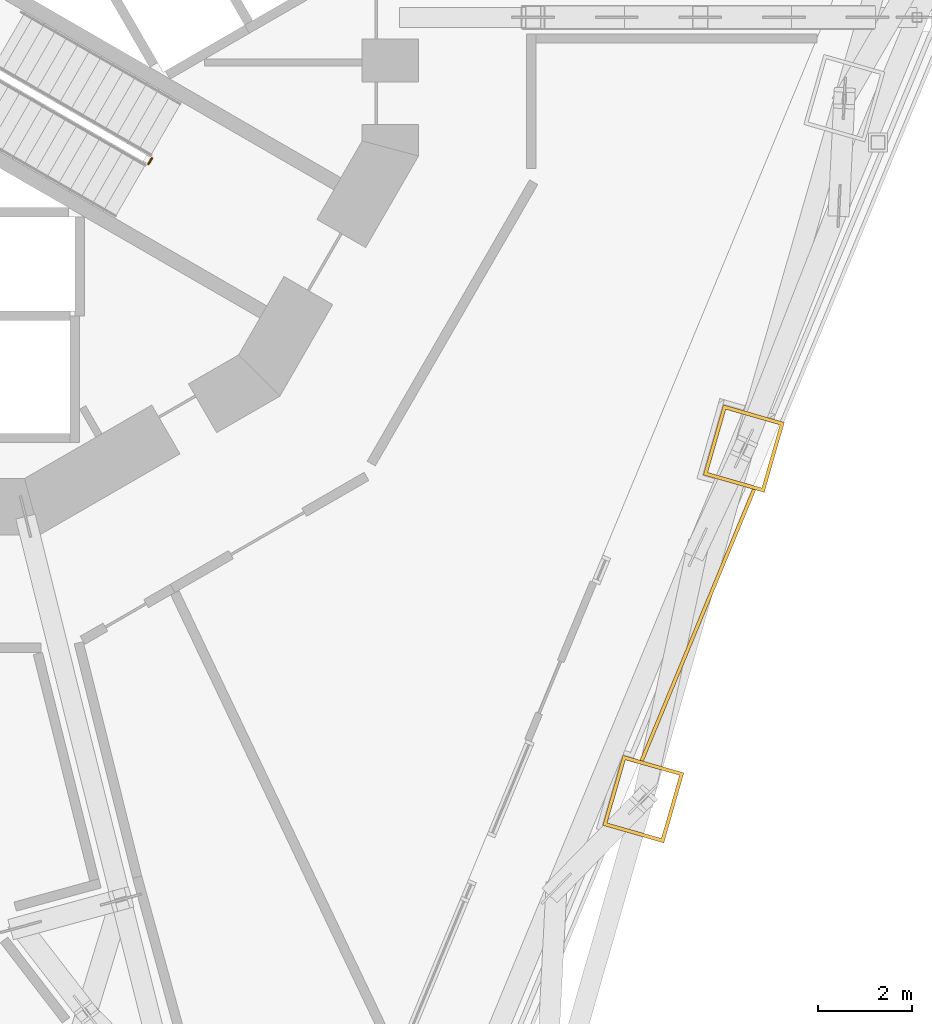
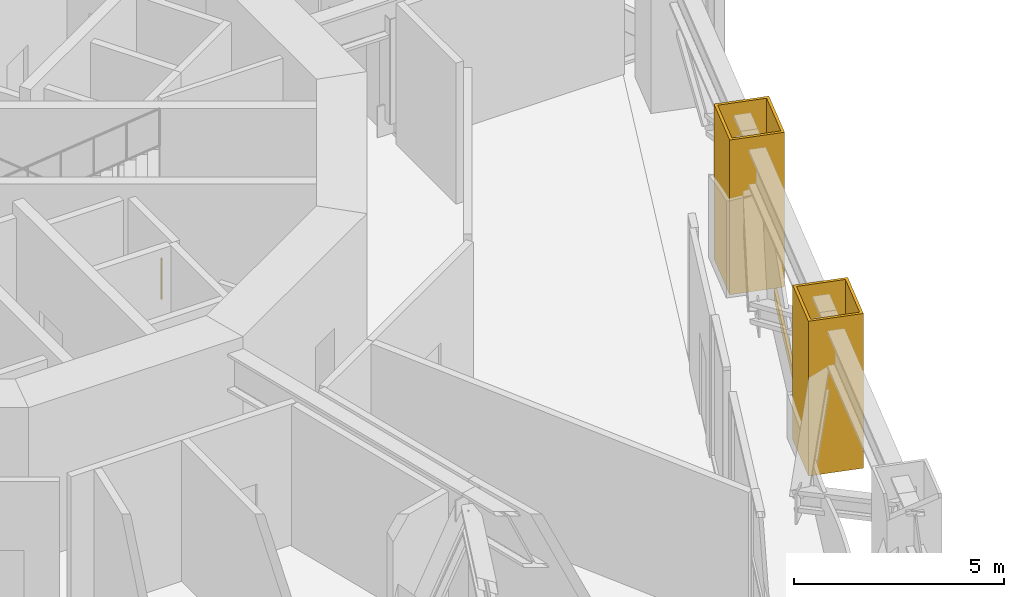
# One storey, part 27 of 31: 3 coverings, 1 railing.
"""IFC4 building model written with IfcOpenShell, lengths in metres."""

import ifcopenshell
import ifcopenshell.guid

model = None  # the IFC model being written
_history = None  # IfcOwnerHistory: only IFC2X3 demands one
_inside = {}  # id of a spatial element -> (the spatial element, [elements in it])
_under = {}  # id of a project, library or spatial element -> (it, [spatial elements below it])
_declared = {}  # id of a project -> (the project, [libraries it declares])
_typed = {}  # id of a type object -> (the type object, [elements of that type])
_made_of = {}  # id of a material, layer set ... -> (it, [elements and type objects made of it])


def new_model(schema):
    """Start an empty IFC model of exactly this schema.

    Asked for "IFC4X3", IfcOpenShell would pick the latest addendum, in which some entities
    have other attributes; the version numbers below select the first issue.
    IFC2X3 requires an IfcOwnerHistory on every rooted entity: one is made here for all.
    """
    global model, _history
    if schema == "IFC4X3":
        model = ifcopenshell.file(schema_version=(4, 3, 0, 0))
    else:
        model = ifcopenshell.file(schema=schema)
    _inside.clear()
    _under.clear()
    _declared.clear()
    _typed.clear()
    _made_of.clear()
    _history = None
    if model.schema == "IFC2X3":
        org = make("IfcOrganization", Name="unknown")
        user = make(
            "IfcPersonAndOrganization",
            ThePerson=make("IfcPerson", FamilyName="unknown"),
            TheOrganization=org,
        )
        app = make(
            "IfcApplication",
            ApplicationDeveloper=org,
            Version="unknown",
            ApplicationFullName="unknown",
            ApplicationIdentifier="unknown",
        )
        _history = make(
            "IfcOwnerHistory",
            OwningUser=user,
            OwningApplication=app,
            ChangeAction="ADDED",
            CreationDate=0,
        )
    return model


def make(cls, **values):
    """One entity of the class cls with the attributes given. An attribute that is None is left unset."""
    return model.create_entity(
        cls, **{name: value for name, value in values.items() if value is not None}
    )


def rooted(cls, **values):
    """An entity with a GlobalId (a new one), such as an element, a storey or a relation."""
    return make(cls, GlobalId=ifcopenshell.guid.new(), OwnerHistory=_history, **values)


def si_unit(unit_type, name, prefix=None):
    """IfcSIUnit, for example si_unit("LENGTHUNIT", "METRE", prefix="MILLI")."""
    return make("IfcSIUnit", UnitType=unit_type, Prefix=prefix, Name=name)


def assignment(units):
    """IfcUnitAssignment: the units of a project."""
    return None if units is None else make("IfcUnitAssignment", Units=units)


def point(xyz):
    """IfcCartesianPoint."""
    return None if xyz is None else make("IfcCartesianPoint", Coordinates=xyz)


def direction(xyz):
    """IfcDirection."""
    return None if xyz is None else make("IfcDirection", DirectionRatios=xyz)


def frame(location, z_axis=None, x_axis=None):
    """IfcAxis2Placement3D, a coordinate frame: its origin and axes. An axis left out is left unset."""
    return make(
        "IfcAxis2Placement3D",
        Location=point(location),
        Axis=direction(z_axis),
        RefDirection=direction(x_axis),
    )


def frame_2d(location, x_axis=None):
    """IfcAxis2Placement2D, a coordinate frame in the plane: its origin and x axis."""
    return make(
        "IfcAxis2Placement2D", Location=point(location), RefDirection=direction(x_axis)
    )


def origin():
    """The frame at (0, 0, 0) with its axes left unset."""
    return frame((0.0, 0.0, 0.0))


def origin_2d():
    """The frame at (0, 0) in the plane with its x axis left unset."""
    return frame_2d((0.0, 0.0))


def place(relative_to, where):
    """IfcLocalPlacement: puts the frame where relative to a parent placement (None: the world)."""
    return make(
        "IfcLocalPlacement", PlacementRelTo=relative_to, RelativePlacement=where
    )


def context(
    kind, dimensions, precision=None, world=None, true_north=None, identifier=None
):
    """IfcGeometricRepresentationContext, for example the 3D "Model" context."""
    return make(
        "IfcGeometricRepresentationContext",
        ContextIdentifier=identifier,
        ContextType=kind,
        CoordinateSpaceDimension=dimensions,
        Precision=precision,
        WorldCoordinateSystem=world,
        TrueNorth=true_north,
    )


def subcontext(parent, identifier, kind, view, scale=None):
    """IfcGeometricRepresentationSubContext, for example "Body" below "Model"."""
    return make(
        "IfcGeometricRepresentationSubContext",
        ContextIdentifier=identifier,
        ContextType=kind,
        ParentContext=parent,
        TargetScale=scale,
        TargetView=view,
    )


def project(units=None, contexts=None):
    """IfcProject with its units and contexts."""
    return rooted(
        "IfcProject",
        Name="project",
        RepresentationContexts=contexts,
        UnitsInContext=assignment(units),
    )


def spatial(cls, under=None, at=None, **own):
    """A site, building, storey or space (cls), placed at a placement, below another one or the project."""
    s = rooted(cls, ObjectPlacement=at, **own)
    if under is not None:
        _under.setdefault(under.id(), (under, []))[1].append(s)
    return s


def polyline(points):
    """IfcPolyline through the points."""
    return make("IfcPolyline", Points=[point(p) for p in points])


def profile(cls, at=None, kind="AREA", **sizes):
    """A parametric profile (cls). Its sizes go by their IFC names, for example OverallWidth=200.0."""
    return make(cls, ProfileType=kind, Position=at, **sizes)


def circle(**sizes):
    """IfcCircleProfileDef."""
    return profile("IfcCircleProfileDef", **sizes)


def outline(outer, holes=None, kind="AREA"):
    """IfcArbitraryClosedProfileDef: a profile drawn as a closed curve; with holes, ...WithVoids."""
    if holes is None:
        return make("IfcArbitraryClosedProfileDef", ProfileType=kind, OuterCurve=outer)
    return make(
        "IfcArbitraryProfileDefWithVoids",
        ProfileType=kind,
        OuterCurve=outer,
        InnerCurves=holes,
    )


def extrude(swept, where, along, depth):
    """IfcExtrudedAreaSolid: the profile swept, set in the frame where, extruded along a direction by depth."""
    return make(
        "IfcExtrudedAreaSolid",
        SweptArea=swept,
        Position=where,
        ExtrudedDirection=direction(along),
        Depth=depth,
    )


def shape(context_of_items, identifier, shape_type, items):
    """IfcShapeRepresentation: the items that make up one representation, for example the "Body"."""
    return make(
        "IfcShapeRepresentation",
        ContextOfItems=context_of_items,
        RepresentationIdentifier=identifier,
        RepresentationType=shape_type,
        Items=items,
    )


def material(Name=None, Category=None):
    """IfcMaterial."""
    return make("IfcMaterial", Name=Name, Category=Category)


def layer(
    of_material, thickness, ventilated=None, Name=None, Category=None, Priority=None
):
    """IfcMaterialLayer: one layer of a wall or slab, of a material (None: an air gap)."""
    return make(
        "IfcMaterialLayer",
        Material=of_material,
        LayerThickness=thickness,
        IsVentilated=ventilated,
        Name=Name,
        Category=Category,
        Priority=Priority,
    )


def layer_set(layers, Name=None):
    """IfcMaterialLayerSet."""
    return make("IfcMaterialLayerSet", MaterialLayers=layers, LayerSetName=Name)


def made_of(thing, what):
    """Note that an element or type object is made of a material, layer set ...; save() writes the relation."""
    if what is not None:
        _made_of.setdefault(what.id(), (what, []))[1].append(thing)
    return thing


def type_object(cls, material=None, **own):
    """A type object (cls), such as IfcWallType, which elements share."""
    return made_of(rooted(cls, **own), material)


def element(
    cls,
    number,
    at=None,
    inside=None,
    cuts=None,
    type_object=None,
    material=None,
    context=None,
    identifier="Body",
    shape_type=None,
    held_by="IfcProductDefinitionShape",
    body=None,
    shapes=None,
    **own,
):
    """One element of the class cls, such as IfcWall. Its Tag is "e" and its number.

    at: its placement. inside: the storey or other place that contains it. cuts: it is an
    opening in that element (IfcRelVoidsElement). A single representation is given by context,
    identifier, shape_type and body (its items); several are given by shapes. held_by: the class
    of the entity that holds the representations. save() writes the other relations.
    """
    e = rooted(cls, Tag="e%d" % number, ObjectPlacement=at, **own)
    if body is not None:
        shapes = [shape(context, identifier, shape_type, body)]
    if shapes is not None:
        e.Representation = make(held_by, Representations=shapes)
    if inside is not None:
        _inside.setdefault(inside.id(), (inside, []))[1].append(e)
    if cuts is not None:
        rooted(
            "IfcRelVoidsElement", RelatingBuildingElement=cuts, RelatedOpeningElement=e
        )
    if type_object is not None:
        _typed.setdefault(type_object.id(), (type_object, []))[1].append(e)
    return made_of(e, material)


def aggregate(whole, parts):
    """IfcRelAggregates: a whole, such as a stair, and the parts it consists of."""
    return rooted("IfcRelAggregates", RelatingObject=whole, RelatedObjects=parts)


def save(model, path):
    """Write the relations noted so far, then the file.

    IfcRelAggregates (storeys below a building ...), IfcRelContainedInSpatialStructure (elements
    in a storey), IfcRelDefinesByType, IfcRelAssociatesMaterial and IfcRelDeclares: one each for
    every whole, place, type object, material and project.
    """
    for whole, parts in _under.values():
        aggregate(whole, parts)
    for where, things in _inside.values():
        rooted(
            "IfcRelContainedInSpatialStructure",
            RelatedElements=things,
            RelatingStructure=where,
        )
    for kind, things in _typed.values():
        rooted("IfcRelDefinesByType", RelatedObjects=things, RelatingType=kind)
    for what, things in _made_of.values():
        rooted("IfcRelAssociatesMaterial", RelatedObjects=things, RelatingMaterial=what)
    for by, libraries in _declared.values():
        rooted("IfcRelDeclares", RelatingContext=by, RelatedDefinitions=libraries)
    model.write(path)


model = new_model("IFC4")

# Units and contexts
model_context = context("Model", 3, precision=1e-05, world=origin(), true_north=direction((0.0, 1.0)))
body_context = subcontext(model_context, "Body", "Model", "MODEL_VIEW")
ifc_project = project(units=[si_unit("LENGTHUNIT", "METRE"), si_unit("AREAUNIT", "SQUARE_METRE"), si_unit("VOLUMEUNIT", "CUBIC_METRE"), si_unit("PLANEANGLEUNIT", "RADIAN"), si_unit("MASSUNIT", "GRAM", prefix="KILO")], contexts=[model_context])

# Site, building, storey
site_placement = place(None, origin())
site = spatial("IfcSite", under=ifc_project, at=site_placement, CompositionType="ELEMENT")
building_placement = place(site_placement, origin())
building = spatial("IfcBuilding", under=site, at=building_placement, Name="Trine Commons Tower", CompositionType="ELEMENT")
storey_placement = place(building_placement, frame((0.0, 0.0, 82.800048828125)))
storey = spatial("IfcBuildingStorey", under=building, at=storey_placement, Name="L20", CompositionType="ELEMENT", Elevation=82.800048828125)

# Coverings
ifc_material_1 = material(Name="Limestone, honed", Category="masonry")
ifc_layer_1 = layer(ifc_material_1, 0.074951171875)
ifc_layer_set_1 = layer_set([ifc_layer_1], Name="Limestone, honed")
covering_type_1 = type_object("IfcCoveringType", Name="Limestone column cladding 75", PredefinedType="CLADDING", material=ifc_layer_set_1)
covering_1_placement = place(storey_placement, origin())
element("IfcCovering", 1, at=covering_1_placement, inside=storey, type_object=covering_type_1, Name="Limestone pier cladding 3-21", PredefinedType="CLADDING", context=body_context, shape_type="SweptSolid", body=[
    extrude(outline(polyline([(98.79638671875, 53.88134765625), (97.498779296875, 54.25341796875), (97.071533203125, 52.763427734375), (98.369140625, 52.391357421875), (98.79638671875, 53.88134765625)]), holes=[polyline([(98.70361328125, 53.829833984375), (97.55029296875, 54.16064453125), (97.164306640625, 52.81494140625), (98.31787109375, 52.484130859375), (98.70361328125, 53.829833984375)])]), origin(), (0.0, 0.0, 1.0), 4.5),
])
covering_2_placement = place(storey_placement, origin())
element("IfcCovering", 2, at=covering_2_placement, inside=storey, type_object=covering_type_1, Name="Limestone pier cladding 3-22", PredefinedType="CLADDING", context=body_context, shape_type="SweptSolid", body=[
    extrude(outline(polyline([(96.658203125, 46.424072265625), (95.360595703125, 46.796142578125), (94.93310546875, 45.306396484375), (96.23095703125, 44.93408203125), (96.658203125, 46.424072265625)]), holes=[polyline([(96.5654296875, 46.372802734375), (95.411865234375, 46.70361328125), (95.02587890625, 45.357666015625), (96.179443359375, 45.02685546875), (96.5654296875, 46.372802734375)])]), origin(), (0.0, 0.0, 1.0), 4.5),
])
ifc_layer_2 = layer(ifc_material_1, 0.074951171875)
ifc_layer_set_2 = layer_set([ifc_layer_2], Name="Limestone, honed")
covering_type_2 = type_object("IfcCoveringType", Name="Limestone spandrel panel 75", PredefinedType="CLADDING", material=ifc_layer_set_2)
covering_3_placement = place(storey_placement, frame((0.0, 0.0, -0.300048828125)))
element("IfcCovering", 3, at=covering_3_placement, inside=storey, type_object=covering_type_2, Name="Limestone spandrel panel 2-03", PredefinedType="CLADDING", context=body_context, shape_type="SweptSolid", body=[
    extrude(outline(polyline([(95.796875, 46.671142578125), (98.187744140625, 52.443359375), (98.115234375, 52.464111328125), (95.72412109375, 46.69189453125), (95.796875, 46.671142578125)])), origin(), (0.0, 0.0, 1.0), 0.300048828125),
])

# Railing
ifc_material_2 = material(Name="Stainless steel balustrade", Category="steel")
railing_type = type_object("IfcRailingType", Name="Stair guard, steel balustrade 1100", PredefinedType="GUARDRAIL", material=ifc_material_2)
railing_placement = place(storey_placement, frame((85.338134765625, 59.504638671875, 0.0)))
element("IfcRailing", 4, at=railing_placement, inside=storey, type_object=railing_type, Name="L20 ST3A stair guard 4", PredefinedType="GUARDRAIL", context=body_context, shape_type="SweptSolid", body=[
    extrude(circle(Radius=0.02392578125, at=origin_2d()), frame((0.0, 0.0, 1.076171875), z_axis=(-0.499816412211, -0.866131372301, 0.0), x_axis=(0.866131372301, -0.499816412211, 0.0)), (0.0, 0.0, 1.0), 0.14990234375),
    extrude(circle(Radius=0.02099609375, at=origin_2d()), origin(), (0.0, 0.0, 1.0), 1.052001953125),
    extrude(circle(Radius=0.02099609375, at=origin_2d()), frame((-0.074951171875, -0.1298828125, 0.0)), (0.0, 0.0, 1.0), 1.052001953125),
])

save(model, "model.ifc")
